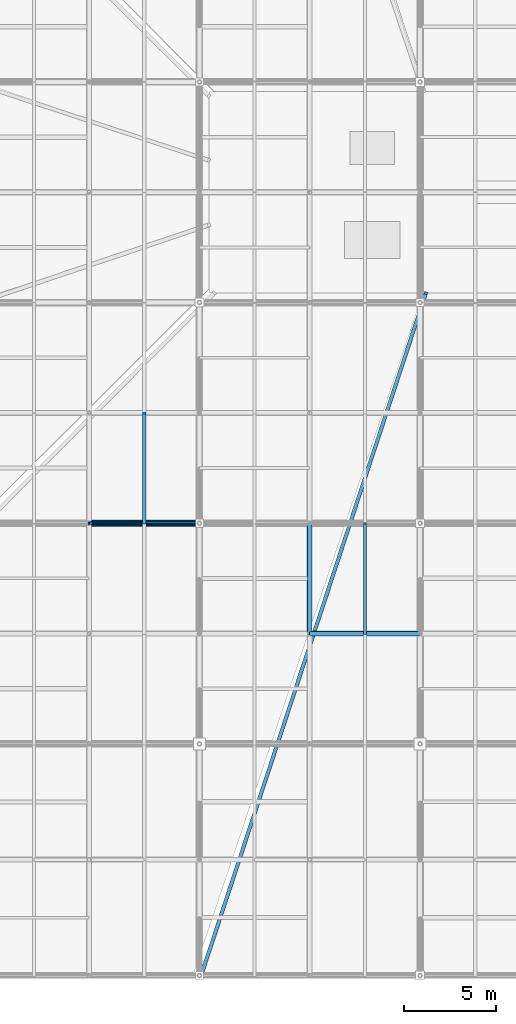
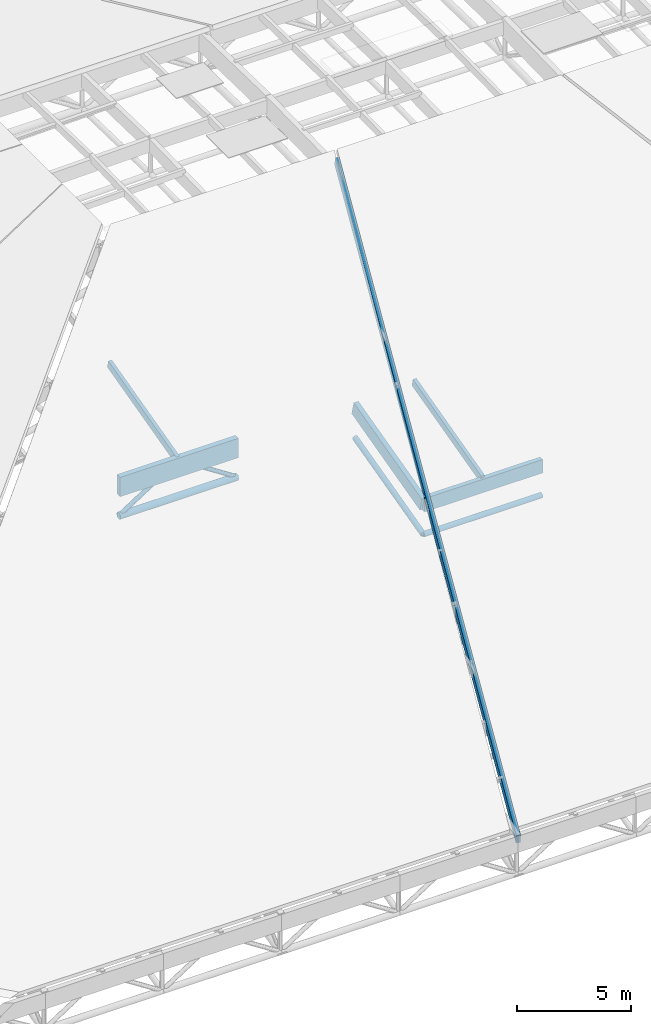
# One storey, part 11 of 80: 11 members.
"""IFC4 building model written with IfcOpenShell, lengths in metres."""

from ifc_helpers import new_model, si_unit, direction, frame, origin, origin_2d, place, context, subcontext, project, spatial, rectangle, hollow_circle, extrude, material, material_profile, profile_set, type_object, element, save


model = new_model("IFC4")

# Units and contexts
model_context = context("Model", 3, precision=1e-05, world=origin(), true_north=direction((0.0, 1.0)))
body_context = subcontext(model_context, "Body", "Model", "MODEL_VIEW")
ifc_project = project(units=[si_unit("LENGTHUNIT", "METRE"), si_unit("AREAUNIT", "SQUARE_METRE"), si_unit("VOLUMEUNIT", "CUBIC_METRE"), si_unit("PLANEANGLEUNIT", "RADIAN"), si_unit("MASSUNIT", "GRAM", prefix="KILO"), si_unit("THERMODYNAMICTEMPERATUREUNIT", "KELVIN"), si_unit("POWERUNIT", "WATT")], contexts=[model_context])

# Site, building, storey
site_placement = place(None, origin())
site = spatial("IfcSite", under=ifc_project, at=site_placement, CompositionType="ELEMENT")
building_placement = place(site_placement, origin())
building = spatial("IfcBuilding", under=site, at=building_placement, Name="Solmara Park Aquatics Centre", CompositionType="ELEMENT")
storey_placement = place(building_placement, frame((0.0, 0.0, 22.800048828125)))
storey = spatial("IfcBuildingStorey", under=building, at=storey_placement, Name="RF", CompositionType="ELEMENT", Elevation=22.800048828125)

# Members
ifc_material_1 = material(Name="Structural Steel S355", Category="steel")
ifc_material_profile_1 = material_profile(ifc_material_1, hollow_circle(Radius=0.109619140625, WallThickness=0.010009765625, at=origin_2d()), Name="CHS 219.1x10")
ifc_profile_set_1 = profile_set([ifc_material_profile_1], Name="Structural Steel S355")
member_type_1 = type_object("IfcMemberType", Name="STR-BRC-CHS219", PredefinedType="BRACE", material=ifc_profile_set_1)
for number, where, z_axis, x_axis, name in (
    (1, (30.60009765625, 24.60009765625, -8.0380859375), (0.83972779743, 0.0, 0.543007574738), (0.0, 1.0, 0.0), "Roof Truss Web Diagonal X 1493"),
    (2, (36.60009765625, 24.60009765625, -8.0380859375), (-0.83972779743, 0.0, 0.543007574738), (0.0, -1.0, 0.0), "Roof Truss Web Diagonal X 1494"),
):
    element("IfcMember", number, at=place(storey_placement, frame(where, z_axis=z_axis, x_axis=x_axis)), inside=storey, type_object=member_type_1, Name=name, PredefinedType="BRACE", context=body_context, shape_type="SweptSolid", body=[
        extrude(hollow_circle(Radius=0.109619140625, WallThickness=0.010009765625, at=origin_2d()), origin(), (0.0, 0.0, 1.0), 3.572509765625),
    ])
ifc_material_profile_2 = material_profile(ifc_material_1, hollow_circle(Radius=0.136474609375, WallThickness=0.012451171875, at=origin_2d()), Name="CHS 273x12.5")
ifc_profile_set_2 = profile_set([ifc_material_profile_2], Name="Structural Steel S355")
member_type_2 = type_object("IfcMemberType", Name="STR-CHD-CHS273", PredefinedType="CHORD", material=ifc_profile_set_2)
member_1_placement = place(storey_placement, frame((42.60009765625, 18.60009765625, -9.58984375), z_axis=(1.0, 0.0, 0.0), x_axis=(0.0, 1.0, 0.0)))
element("IfcMember", 3, at=member_1_placement, inside=storey, type_object=member_type_2, Name="Steel Roof Truss Bottom Chord X 0124", PredefinedType="CHORD", context=body_context, shape_type="SweptSolid", body=[
    extrude(hollow_circle(Radius=0.136474609375, WallThickness=0.012451171875, at=origin_2d()), origin(), (0.0, 0.0, 1.0), 6.0),
])
member_2_placement = place(storey_placement, frame((42.60009765625, 18.60009765625, -9.58984375), z_axis=(0.0, 0.968145594442, 0.250387914969), x_axis=(-1.0, 0.0, 0.0)))
element("IfcMember", 4, at=member_2_placement, inside=storey, type_object=member_type_2, Name="Steel Roof Truss Bottom Chord Y 0744", PredefinedType="CHORD", context=body_context, shape_type="SweptSolid", body=[
    extrude(hollow_circle(Radius=0.136474609375, WallThickness=0.012451171875, at=origin_2d()), origin(), (0.0, 0.0, 1.0), 6.197509765625),
])
ifc_material_profile_3 = material_profile(ifc_material_1, hollow_circle(Radius=0.177734375, WallThickness=0.01611328125, at=origin_2d()), Name="CHS 355.6x16")
ifc_profile_set_3 = profile_set([ifc_material_profile_3], Name="Structural Steel S355")
member_type_3 = type_object("IfcMemberType", Name="STR-CHD-CHS355", PredefinedType="CHORD", material=ifc_profile_set_3)
member_3_placement = place(storey_placement, frame((30.60009765625, 24.60009765625, -8.0380859375), z_axis=(1.0, 0.0, 0.0), x_axis=(0.0, 1.0, 0.0)))
element("IfcMember", 5, at=member_3_placement, inside=storey, type_object=member_type_3, Name="Steel Roof Truss Bottom Chord X 0156", PredefinedType="CHORD", context=body_context, shape_type="SweptSolid", body=[
    extrude(hollow_circle(Radius=0.177734375, WallThickness=0.01611328125, at=origin_2d()), origin(), (0.0, 0.0, 1.0), 6.0),
])
ifc_material_2 = material(Name="Glulam Timber GL28h", Category="wood")
ifc_material_profile_4 = material_profile(ifc_material_2, rectangle(XDim=0.239990234375, YDim=0.719970703125, at=origin_2d()), Name="GL28h 240x720")
ifc_profile_set_4 = profile_set([ifc_material_profile_4], Name="Glulam Timber GL28h")
member_type_4 = type_object("IfcMemberType", Name="STR-CHD-GL240x720", PredefinedType="CHORD", material=ifc_profile_set_4)
member_4_placement = place(storey_placement, frame((42.60009765625, 18.60009765625, -7.9697265625), z_axis=(1.0, 0.0, 0.0), x_axis=(0.0, 1.0, 0.0)))
element("IfcMember", 6, at=member_4_placement, inside=storey, type_object=member_type_4, Name="Glulam Roof Truss Top Chord X 0123", PredefinedType="CHORD", context=body_context, shape_type="SweptSolid", body=[
    extrude(rectangle(XDim=0.239990234375, YDim=0.719970703125, at=origin_2d()), origin(), (0.0, 0.0, 1.0), 6.0),
])
member_5_placement = place(storey_placement, frame((42.60009765625, 18.60009765625, -7.9697265625), z_axis=(0.0, 0.968145594442, 0.250387914969), x_axis=(-1.0, 0.0, 0.0)))
element("IfcMember", 7, at=member_5_placement, inside=storey, type_object=member_type_4, Name="Glulam Roof Truss Top Chord Y 0743", PredefinedType="CHORD", context=body_context, shape_type="SweptSolid", body=[
    extrude(rectangle(XDim=0.239990234375, YDim=0.719970703125, at=origin_2d()), origin(), (0.0, 0.0, 1.0), 6.197509765625),
])
ifc_material_profile_5 = material_profile(ifc_material_2, rectangle(XDim=0.280029296875, YDim=1.0400390625, at=origin_2d()), Name="GL28h 280x1040")
ifc_profile_set_5 = profile_set([ifc_material_profile_5], Name="Glulam Timber GL28h")
member_type_5 = type_object("IfcMemberType", Name="STR-CHD-GL280x1040", PredefinedType="CHORD", material=ifc_profile_set_5)
member_6_placement = place(storey_placement, frame((30.60009765625, 24.60009765625, -6.41796875), z_axis=(1.0, 0.0, 0.0), x_axis=(0.0, 1.0, 0.0)))
element("IfcMember", 8, at=member_6_placement, inside=storey, type_object=member_type_5, Name="Glulam Roof Truss Top Chord X 0155", PredefinedType="CHORD", context=body_context, shape_type="SweptSolid", body=[
    extrude(rectangle(XDim=0.280029296875, YDim=1.0400390625, at=origin_2d()), origin(), (0.0, 0.0, 1.0), 6.0),
])
ifc_material_profile_6 = material_profile(ifc_material_2, rectangle(XDim=0.179931640625, YDim=0.39990234375, at=origin_2d()), Name="GL28h 180x400")
ifc_profile_set_6 = profile_set([ifc_material_profile_6], Name="Glulam Timber GL28h")
member_type_6 = type_object("IfcMemberType", Name="STR-PRL-GL180x400", PredefinedType="PURLIN", material=ifc_profile_set_6)
member_7_placement = place(storey_placement, frame((33.60009765625, 24.60009765625, -6.09814453125), z_axis=(0.0, 0.968145594442, 0.250387914969), x_axis=(-1.0, 0.0, 0.0)))
element("IfcMember", 9, at=member_7_placement, inside=storey, type_object=member_type_6, Name="Glulam Roof Purlin 1479", PredefinedType="PURLIN", context=body_context, shape_type="SweptSolid", body=[
    extrude(rectangle(XDim=0.179931640625, YDim=0.39990234375, at=origin_2d()), origin(), (0.0, 0.0, 1.0), 6.197509765625),
])
member_8_placement = place(storey_placement, frame((45.60009765625, 18.60009765625, -7.649658203125), z_axis=(0.0, 0.968155143395, 0.250350990246), x_axis=(-1.0, 0.0, 0.0)))
element("IfcMember", 10, at=member_8_placement, inside=storey, type_object=member_type_6, Name="Glulam Roof Purlin 1536", PredefinedType="PURLIN", context=body_context, shape_type="SweptSolid", body=[
    extrude(rectangle(XDim=0.179931640625, YDim=0.39990234375, at=origin_2d()), origin(), (0.0, 0.0, 1.0), 6.197265625),
])
ifc_material_profile_7 = material_profile(ifc_material_2, rectangle(XDim=0.199951171875, YDim=0.47998046875, at=origin_2d()), Name="GL28h 200x480")
ifc_profile_set_7 = profile_set([ifc_material_profile_7], Name="Glulam Timber GL28h")
member_type_7 = type_object("IfcMemberType", Name="STR-RFT-GL200x480", PredefinedType="RAFTER", material=ifc_profile_set_7)
member_9_placement = place(storey_placement, frame((36.69091796875, 0.0, -12.60009765625), z_axis=(0.303774682939, 0.922395660192, 0.238552275329), x_axis=(-0.949817208177, 0.312805484367, 0.0)))
element("IfcMember", 11, at=member_9_placement, inside=storey, type_object=member_type_7, Name="Glulam Hip Jack Rafter SOUTH-2", PredefinedType="RAFTER", context=body_context, shape_type="SweptSolid", body=[
    extrude(rectangle(XDim=0.199951171875, YDim=0.47998046875, at=origin_2d()), origin(), (0.0, 0.0, 1.0), 40.2431640625),
])

save(model, "model.ifc")
